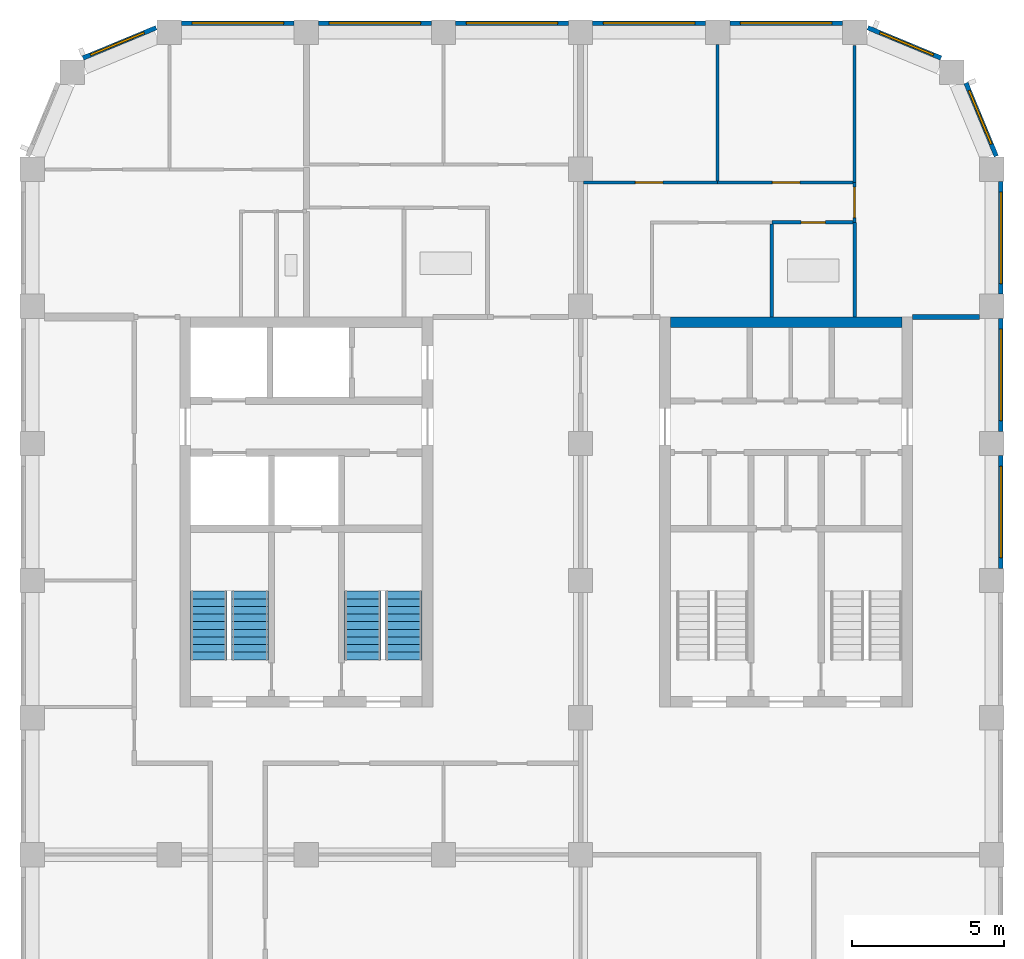
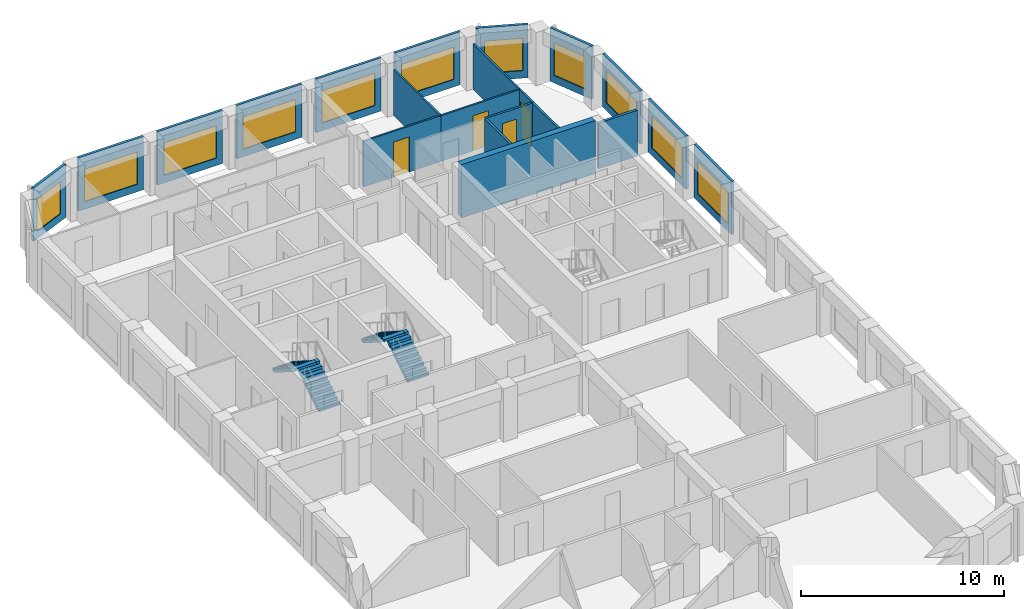
# One storey, part 7 of 10: 21 walls, 11 windows, 4 doors, 4 stair flights, 15 openings, 2 elements without a shape of their own.
"""IFC4 building model written with IfcOpenShell, lengths in metres."""

from ifc_helpers import new_model, si_unit, direction, frame, frame_2d, origin, place, context, subcontext, project, spatial, polyline, rectangle, outline, extrude, material, layer, layer_set, type_object, element, fill, aggregate, save


model = new_model("IFC4")

# Units and contexts
model_context = context("Model", 3, precision=1e-05, world=origin(), true_north=direction((0.0, 1.0)))
body_context = subcontext(model_context, "Body", "Model", "MODEL_VIEW")
ifc_project = project(units=[si_unit("LENGTHUNIT", "METRE"), si_unit("AREAUNIT", "SQUARE_METRE"), si_unit("VOLUMEUNIT", "CUBIC_METRE"), si_unit("PLANEANGLEUNIT", "RADIAN"), si_unit("MASSUNIT", "GRAM", prefix="KILO")], contexts=[model_context])

# Site, building, storey
site_placement = place(None, origin())
site = spatial("IfcSite", under=ifc_project, at=site_placement, CompositionType="ELEMENT")
building_placement = place(site_placement, origin())
building = spatial("IfcBuilding", under=site, at=building_placement, Name="Girih Gate Residences", CompositionType="ELEMENT")
storey_placement = place(building_placement, frame((0.0, 0.0, 210.094970703125)))
storey = spatial("IfcBuildingStorey", under=building, at=storey_placement, Name="L58", CompositionType="ELEMENT", Elevation=210.094970703125)

# Walls
ifc_material_1 = material(Name="Gypsum board on steel studs", Category="steel")
ifc_layer_1 = layer(ifc_material_1, 0.14990234375)
ifc_layer_set_1 = layer_set([ifc_layer_1], Name="Compartment wall 150 mm")
wall_type_1 = type_object("IfcWallType", Name="Compartment wall 150 mm", PredefinedType="PARTITIONING", material=ifc_layer_set_1)
wall_1_placement = place(storey_placement, frame((28.89990234375, 40.14990234375, 0.0), z_axis=(0.0, 0.0, 1.0), x_axis=(1.0, 0.0, 0.0)))
element("IfcWall", 1, at=wall_1_placement, inside=storey, type_object=wall_type_1, Name="L58 partition", PredefinedType="PARTITIONING", context=body_context, shape_type="SweptSolid", body=[
    extrude(rectangle(XDim=2.2001953125, YDim=0.14990234375, at=frame_2d((1.10009765625, 0.0))), origin(), (0.0, 0.0, 1.0), 2.75),
])
ifc_layer_2 = layer(ifc_material_1, 0.10009765625)
ifc_layer_set_2 = layer_set([ifc_layer_2], Name="Partition 100 mm")
wall_type_2 = type_object("IfcWallType", Name="Partition 100 mm", PredefinedType="PARTITIONING", material=ifc_layer_set_2)
wall_2_placement = place(storey_placement, frame((22.5, 44.610107421875, 0.0), z_axis=(0.0, 0.0, 1.0), x_axis=(0.0, 1.0, 0.0)))
element("IfcWall", 2, at=wall_2_placement, inside=storey, type_object=wall_type_2, Name="L58 partition", PredefinedType="PARTITIONING", context=body_context, shape_type="SweptSolid", body=[
    extrude(rectangle(XDim=4.489990234375, YDim=0.10009765625, at=frame_2d((2.2451171875, 0.0))), origin(), (0.0, 0.0, 1.0), 2.75),
])

# Wall, opening, door
wall_3_placement = place(storey_placement, frame((18.10009765625, 44.56005859375, 0.0), z_axis=(0.0, 0.0, 1.0), x_axis=(1.0, 0.0, 0.0)))
wall_3 = element("IfcWall", 3, at=wall_3_placement, inside=storey, type_object=wall_type_2, Name="L58 partition", PredefinedType="PARTITIONING", context=body_context, shape_type="SweptSolid", body=[
    extrude(rectangle(XDim=4.39990234375, YDim=0.10009765625, at=frame_2d((2.199951171875, 0.0))), origin(), (0.0, 0.0, 1.0), 2.75),
])
opening_1_placement = place(wall_3_placement, frame((1.699951171875, 0.0, 0.0)))
opening_1 = element("IfcOpeningElement", 4, at=opening_1_placement, cuts=wall_3, Name="Opening A58-018", PredefinedType="OPENING", context=body_context, shape_type="SweptSolid", body=[
    extrude(rectangle(XDim=0.89990234375, YDim=2.10009765625, at=frame_2d((0.449951171875, 1.050048828125))), frame((0.0, 0.06005859375, 0.0), z_axis=(0.0, -1.0, 0.0), x_axis=(1.0, 0.0, 0.0)), (0.0, 0.0, 1.0), 0.1201171875),
])
ifc_material_2 = material(Name="Timber", Category="wood")
door_type_1 = type_object("IfcDoorType", Name="Bedroom door 900x2100", OperationType="NOTDEFINED", PredefinedType="DOOR", material=ifc_material_2)
door_1_placement = place(opening_1_placement, origin())
door_1 = element("IfcDoor", 5, at=door_1_placement, inside=storey, type_object=door_type_1, Name="Door A58-018", OperationType="SINGLE_SWING_LEFT", OverallHeight=2.10009765625, OverallWidth=0.89990234375, PredefinedType="DOOR", context=body_context, shape_type="SweptSolid", body=[
    extrude(rectangle(XDim=0.89990234375, YDim=2.10009765625, at=frame_2d((0.449951171875, 1.050048828125))), frame((0.0, 0.02490234375, 0.0), z_axis=(0.0, -1.0, 0.0), x_axis=(1.0, 0.0, 0.0)), (0.0, 0.0, 1.0), 0.050048828125),
])
fill(opening_1, door_1)

wall_4_placement = place(storey_placement, frame((22.5, 44.56005859375, 0.0), z_axis=(0.0, 0.0, 1.0), x_axis=(1.0, 0.0, 0.0)))
wall_4 = element("IfcWall", 6, at=wall_4_placement, inside=storey, type_object=wall_type_2, Name="L58 partition", PredefinedType="PARTITIONING", context=body_context, shape_type="SweptSolid", body=[
    extrude(rectangle(XDim=4.449951171875, YDim=0.10009765625, at=frame_2d((2.22509765625, 0.0))), origin(), (0.0, 0.0, 1.0), 2.75),
])
opening_2_placement = place(wall_4_placement, frame((1.800048828125, 0.0, 0.0)))
opening_2 = element("IfcOpeningElement", 7, at=opening_2_placement, cuts=wall_4, Name="Opening A58-019", PredefinedType="OPENING", context=body_context, shape_type="SweptSolid", body=[
    extrude(rectangle(XDim=0.89990234375, YDim=2.10009765625, at=frame_2d((0.449951171875, 1.050048828125))), frame((0.0, 0.06005859375, 0.0), z_axis=(0.0, -1.0, 0.0), x_axis=(1.0, 0.0, 0.0)), (0.0, 0.0, 1.0), 0.1201171875),
])
door_2_placement = place(opening_2_placement, origin())
door_2 = element("IfcDoor", 8, at=door_2_placement, inside=storey, type_object=door_type_1, Name="Door A58-019", OperationType="SINGLE_SWING_RIGHT", OverallHeight=2.10009765625, OverallWidth=0.89990234375, PredefinedType="DOOR", context=body_context, shape_type="SweptSolid", body=[
    extrude(rectangle(XDim=0.89990234375, YDim=2.10009765625, at=frame_2d((0.449951171875, 1.050048828125))), frame((0.0, 0.02490234375, 0.0), z_axis=(0.0, -1.0, 0.0), x_axis=(1.0, 0.0, 0.0)), (0.0, 0.0, 1.0), 0.050048828125),
])
fill(opening_2, door_2)

# Wall
wall_5_placement = place(storey_placement, frame((27.0, 44.56005859375, 0.0), z_axis=(0.0, 0.0, 1.0), x_axis=(0.0, 1.0, 0.0)))
element("IfcWall", 9, at=wall_5_placement, inside=storey, type_object=wall_type_2, Name="L58 partition", PredefinedType="PARTITIONING", context=body_context, shape_type="SweptSolid", body=[
    extrude(rectangle(XDim=4.507080078125, YDim=0.10009765625, at=frame_2d((2.25341796875, 0.0))), origin(), (0.0, 0.0, 1.0), 2.75),
])

# Wall, opening, door
wall_6_placement = place(storey_placement, frame((27.0, 44.56005859375, 0.0), z_axis=(0.0, 0.0, 1.0), x_axis=(0.0, -1.0, 0.0)))
wall_6 = element("IfcWall", 10, at=wall_6_placement, inside=storey, type_object=wall_type_2, Name="L58 partition", PredefinedType="PARTITIONING", context=body_context, shape_type="SweptSolid", body=[
    extrude(rectangle(XDim=1.300048828125, YDim=0.10009765625, at=frame_2d((0.64990234375, 0.0))), origin(), (0.0, 0.0, 1.0), 2.75),
])
opening_3_placement = place(wall_6_placement, frame((0.14990234375, 0.0, 0.0)))
opening_3 = element("IfcOpeningElement", 11, at=opening_3_placement, cuts=wall_6, Name="Opening A58-021", PredefinedType="OPENING", context=body_context, shape_type="SweptSolid", body=[
    extrude(rectangle(XDim=1.0, YDim=2.10009765625, at=frame_2d((0.5, 1.050048828125))), frame((0.0, 0.06005859375, 0.0), z_axis=(0.0, -1.0, 0.0), x_axis=(1.0, 0.0, 0.0)), (0.0, 0.0, 1.0), 0.1201171875),
])
door_type_2 = type_object("IfcDoorType", Name="Living room door 1000x2100", OperationType="NOTDEFINED", PredefinedType="DOOR", material=ifc_material_2)
door_3_placement = place(opening_3_placement, origin())
door_3 = element("IfcDoor", 12, at=door_3_placement, inside=storey, type_object=door_type_2, Name="Door A58-021", OperationType="SINGLE_SWING_LEFT", OverallHeight=2.10009765625, OverallWidth=1.0, PredefinedType="DOOR", context=body_context, shape_type="SweptSolid", body=[
    extrude(rectangle(XDim=1.0, YDim=2.10009765625, at=frame_2d((0.5, 1.050048828125))), frame((0.0, 0.02490234375, 0.0), z_axis=(0.0, -1.0, 0.0), x_axis=(1.0, 0.0, 0.0)), (0.0, 0.0, 1.0), 0.050048828125),
])
fill(opening_3, door_3)

# Wall, opening, window
ifc_material_3 = material(Name="Precast concrete C50/60", Category="concrete")
ifc_layer_3 = layer(ifc_material_3, 0.050048828125, Name="Outer leaf")
ifc_material_4 = material(Name="Rigid PIR insulation")
ifc_layer_4 = layer(ifc_material_4, 0.06005859375, Name="Insulation")
ifc_material_5 = material(Name="Precast concrete C40/50", Category="concrete")
ifc_layer_5 = layer(ifc_material_5, 0.0400390625, Name="Inner leaf")
ifc_layer_set_3 = layer_set([ifc_layer_3, ifc_layer_4, ifc_layer_5], Name="Precast concrete C50/60 external wall 150")
wall_type_3 = type_object("IfcWallType", Name="Precast concrete C50/60 external wall 150", PredefinedType="SOLIDWALL", material=ifc_layer_set_3)
wall_7_placement = place(storey_placement, frame((31.800048828125, 35.60009765625, 0.0), z_axis=(0.0, 0.0, 1.0), x_axis=(0.0, -1.0, 0.0)))
wall_7 = element("IfcWall", 13, at=wall_7_placement, inside=storey, type_object=wall_type_3, Name="External wall E0315_0045.6", PredefinedType="SOLIDWALL", context=body_context, shape_type="SweptSolid", body=[
    extrude(rectangle(XDim=3.7001953125, YDim=0.14990234375, at=frame_2d((1.85009765625, 0.0))), origin(), (0.0, 0.0, 1.0), 3.199951171875),
])
opening_4_placement = place(wall_7_placement, frame((0.35009765625, 0.0, 0.449951171875)))
opening_4 = element("IfcOpeningElement", 14, at=opening_4_placement, cuts=wall_7, Name="Opening W-1D", PredefinedType="OPENING", context=body_context, shape_type="SweptSolid", body=[
    extrude(rectangle(XDim=3.0, YDim=1.949951171875, at=frame_2d((1.5, 0.97509765625))), frame((0.0, 0.0849609375, 0.0), z_axis=(0.0, -1.0, 0.0), x_axis=(1.0, 0.0, 0.0)), (0.0, 0.0, 1.0), 0.169921875),
])
ifc_material_6 = material(Name="Double glazing in aluminium frame", Category="aluminium")
window_type_1 = type_object("IfcWindowType", Name="Window W-1D 3000x1950", PartitioningType="SINGLE_PANEL", PredefinedType="WINDOW", material=ifc_material_6)
window_1_placement = place(opening_4_placement, origin())
window_1 = element("IfcWindow", 15, at=window_1_placement, inside=storey, type_object=window_type_1, Name="Window W-1D E0315_0045.6", OverallHeight=1.949951171875, OverallWidth=3.0, PartitioningType="SINGLE_PANEL", PredefinedType="WINDOW", context=body_context, shape_type="SweptSolid", body=[
    extrude(rectangle(XDim=3.0, YDim=1.949951171875, at=frame_2d((1.5, 0.97509765625))), frame((0.0, 0.030029296875, 0.0), z_axis=(0.0, -1.0, 0.0), x_axis=(1.0, 0.0, 0.0)), (0.0, 0.0, 1.0), 0.06005859375),
])
fill(opening_4, window_1)

wall_8_placement = place(storey_placement, frame((31.800048828125, 40.10009765625, 0.0), z_axis=(0.0, 0.0, 1.0), x_axis=(0.0, -1.0, 0.0)))
wall_8 = element("IfcWall", 16, at=wall_8_placement, inside=storey, type_object=wall_type_3, Name="External wall E0315_0045.7", PredefinedType="SOLIDWALL", context=body_context, shape_type="SweptSolid", body=[
    extrude(rectangle(XDim=3.7001953125, YDim=0.14990234375, at=frame_2d((1.85009765625, 0.0))), origin(), (0.0, 0.0, 1.0), 3.199951171875),
])
opening_5_placement = place(wall_8_placement, frame((0.35009765625, 0.0, 0.449951171875)))
opening_5 = element("IfcOpeningElement", 17, at=opening_5_placement, cuts=wall_8, Name="Opening W-1D", PredefinedType="OPENING", context=body_context, shape_type="SweptSolid", body=[
    extrude(rectangle(XDim=3.0, YDim=1.949951171875, at=frame_2d((1.5, 0.97509765625))), frame((0.0, 0.0849609375, 0.0), z_axis=(0.0, -1.0, 0.0), x_axis=(1.0, 0.0, 0.0)), (0.0, 0.0, 1.0), 0.169921875),
])
window_2_placement = place(opening_5_placement, origin())
window_2 = element("IfcWindow", 18, at=window_2_placement, inside=storey, type_object=window_type_1, Name="Window W-1D E0315_0045.7", OverallHeight=1.949951171875, OverallWidth=3.0, PartitioningType="SINGLE_PANEL", PredefinedType="WINDOW", context=body_context, shape_type="SweptSolid", body=[
    extrude(rectangle(XDim=3.0, YDim=1.949951171875, at=frame_2d((1.5, 0.97509765625))), frame((0.0, 0.030029296875, 0.0), z_axis=(0.0, -1.0, 0.0), x_axis=(1.0, 0.0, 0.0)), (0.0, 0.0, 1.0), 0.06005859375),
])
fill(opening_5, window_2)

wall_9_placement = place(storey_placement, frame((31.800048828125, 44.60009765625, 0.0), z_axis=(0.0, 0.0, 1.0), x_axis=(0.0, -1.0, 0.0)))
wall_9 = element("IfcWall", 19, at=wall_9_placement, inside=storey, type_object=wall_type_3, Name="External wall E0315_0045.8", PredefinedType="SOLIDWALL", context=body_context, shape_type="SweptSolid", body=[
    extrude(rectangle(XDim=3.7001953125, YDim=0.14990234375, at=frame_2d((1.85009765625, 0.0))), origin(), (0.0, 0.0, 1.0), 3.199951171875),
])
opening_6_placement = place(wall_9_placement, frame((0.35009765625, 0.0, 0.449951171875)))
opening_6 = element("IfcOpeningElement", 20, at=opening_6_placement, cuts=wall_9, Name="Opening W-1D", PredefinedType="OPENING", context=body_context, shape_type="SweptSolid", body=[
    extrude(rectangle(XDim=3.0, YDim=1.949951171875, at=frame_2d((1.5, 0.97509765625))), frame((0.0, 0.0849609375, 0.0), z_axis=(0.0, -1.0, 0.0), x_axis=(1.0, 0.0, 0.0)), (0.0, 0.0, 1.0), 0.169921875),
])
window_3_placement = place(opening_6_placement, origin())
window_3 = element("IfcWindow", 21, at=window_3_placement, inside=storey, type_object=window_type_1, Name="Window W-1D E0315_0045.8", OverallHeight=1.949951171875, OverallWidth=3.0, PartitioningType="SINGLE_PANEL", PredefinedType="WINDOW", context=body_context, shape_type="SweptSolid", body=[
    extrude(rectangle(XDim=3.0, YDim=1.949951171875, at=frame_2d((1.5, 0.97509765625))), frame((0.0, 0.030029296875, 0.0), z_axis=(0.0, -1.0, 0.0), x_axis=(1.0, 0.0, 0.0)), (0.0, 0.0, 1.0), 0.06005859375),
])
fill(opening_6, window_3)

wall_10_placement = place(storey_placement, frame((30.6513671875, 47.8330078125, 0.0), z_axis=(0.0, 0.0, 1.0), x_axis=(0.382669406082, -0.923885342263, 0.0)))
wall_10 = element("IfcWall", 22, at=wall_10_placement, inside=storey, type_object=wall_type_3, Name="External wall NE0315_0450.0", PredefinedType="SOLIDWALL", context=body_context, shape_type="SweptSolid", body=[
    extrude(rectangle(XDim=2.602294921875, YDim=0.14990234375, at=frame_2d((1.30126953125, 0.0))), origin(), (0.0, 0.0, 1.0), 3.199951171875),
])
opening_7_placement = place(wall_10_placement, frame((0.27001953125, 0.0, 0.449951171875)))
opening_7 = element("IfcOpeningElement", 23, at=opening_7_placement, cuts=wall_10, Name="Opening W-2G", PredefinedType="OPENING", context=body_context, shape_type="SweptSolid", body=[
    extrude(rectangle(XDim=1.89990234375, YDim=1.949951171875, at=frame_2d((0.949951171875, 0.97509765625))), frame((0.0, 0.0849609375, 0.0), z_axis=(0.0, -1.0, 0.0), x_axis=(1.0, 0.0, 0.0)), (0.0, 0.0, 1.0), 0.169921875),
])
window_type_2 = type_object("IfcWindowType", Name="Window W-2G 1900x1950", PartitioningType="SINGLE_PANEL", PredefinedType="WINDOW", material=ifc_material_6)
window_4_placement = place(opening_7_placement, origin())
window_4 = element("IfcWindow", 24, at=window_4_placement, inside=storey, type_object=window_type_2, Name="Window W-2G NE0315_0450.0", OverallHeight=1.949951171875, OverallWidth=1.89990234375, PartitioningType="SINGLE_PANEL", PredefinedType="WINDOW", context=body_context, shape_type="SweptSolid", body=[
    extrude(rectangle(XDim=1.89990234375, YDim=1.949951171875, at=frame_2d((0.949951171875, 0.97509765625))), frame((0.0, 0.030029296875, 0.0), z_axis=(0.0, -1.0, 0.0), x_axis=(1.0, 0.0, 0.0)), (0.0, 0.0, 1.0), 0.06005859375),
])
fill(opening_7, window_4)

wall_11_placement = place(storey_placement, frame((27.4287109375, 49.647216796875, 0.0), z_axis=(0.0, 0.0, 1.0), x_axis=(0.923885342263, -0.382669406082, 0.0)))
wall_11 = element("IfcWall", 25, at=wall_11_placement, inside=storey, type_object=wall_type_3, Name="External wall NE0302_0482.0", PredefinedType="SOLIDWALL", context=body_context, shape_type="SweptSolid", body=[
    extrude(rectangle(XDim=2.602294921875, YDim=0.14990234375, at=frame_2d((1.30126953125, 0.0))), origin(), (0.0, 0.0, 1.0), 3.199951171875),
])
opening_8_placement = place(wall_11_placement, frame((0.432373046875, 0.0, 0.449951171875)))
opening_8 = element("IfcOpeningElement", 26, at=opening_8_placement, cuts=wall_11, Name="Opening W-2G", PredefinedType="OPENING", context=body_context, shape_type="SweptSolid", body=[
    extrude(rectangle(XDim=1.89990234375, YDim=1.949951171875, at=frame_2d((0.949951171875, 0.97509765625))), frame((0.0, 0.0849609375, 0.0), z_axis=(0.0, -1.0, 0.0), x_axis=(1.0, 0.0, 0.0)), (0.0, 0.0, 1.0), 0.169921875),
])
window_5_placement = place(opening_8_placement, origin())
window_5 = element("IfcWindow", 27, at=window_5_placement, inside=storey, type_object=window_type_2, Name="Window W-2G NE0302_0482.0", OverallHeight=1.949951171875, OverallWidth=1.89990234375, PartitioningType="SINGLE_PANEL", PredefinedType="WINDOW", context=body_context, shape_type="SweptSolid", body=[
    extrude(rectangle(XDim=1.89990234375, YDim=1.949951171875, at=frame_2d((0.949951171875, 0.97509765625))), frame((0.0, 0.030029296875, 0.0), z_axis=(0.0, -1.0, 0.0), x_axis=(1.0, 0.0, 0.0)), (0.0, 0.0, 1.0), 0.06005859375),
])
fill(opening_8, window_5)

wall_12_placement = place(storey_placement, frame((22.89990234375, 49.800048828125, 0.0), z_axis=(0.0, 0.0, 1.0), x_axis=(1.0, 0.0, 0.0)))
wall_12 = element("IfcWall", 28, at=wall_12_placement, inside=storey, type_object=wall_type_3, Name="External wall N0270_0495.0", PredefinedType="SOLIDWALL", context=body_context, shape_type="SweptSolid", body=[
    extrude(rectangle(XDim=3.7001953125, YDim=0.14990234375, at=frame_2d((1.85009765625, 0.0))), origin(), (0.0, 0.0, 1.0), 3.199951171875),
])
opening_9_placement = place(wall_12_placement, frame((0.35009765625, 0.0, 0.449951171875)))
opening_9 = element("IfcOpeningElement", 29, at=opening_9_placement, cuts=wall_12, Name="Opening W-1D", PredefinedType="OPENING", context=body_context, shape_type="SweptSolid", body=[
    extrude(rectangle(XDim=3.0, YDim=1.949951171875, at=frame_2d((1.5, 0.97509765625))), frame((0.0, 0.0849609375, 0.0), z_axis=(0.0, -1.0, 0.0), x_axis=(1.0, 0.0, 0.0)), (0.0, 0.0, 1.0), 0.169921875),
])
window_6_placement = place(opening_9_placement, origin())
window_6 = element("IfcWindow", 30, at=window_6_placement, inside=storey, type_object=window_type_1, Name="Window W-1D N0270_0495.0", OverallHeight=1.949951171875, OverallWidth=3.0, PartitioningType="SINGLE_PANEL", PredefinedType="WINDOW", context=body_context, shape_type="SweptSolid", body=[
    extrude(rectangle(XDim=3.0, YDim=1.949951171875, at=frame_2d((1.5, 0.97509765625))), frame((0.0, 0.030029296875, 0.0), z_axis=(0.0, -1.0, 0.0), x_axis=(1.0, 0.0, 0.0)), (0.0, 0.0, 1.0), 0.06005859375),
])
fill(opening_9, window_6)

wall_13_placement = place(storey_placement, frame((18.39990234375, 49.800048828125, 0.0), z_axis=(0.0, 0.0, 1.0), x_axis=(1.0, 0.0, 0.0)))
wall_13 = element("IfcWall", 31, at=wall_13_placement, inside=storey, type_object=wall_type_3, Name="External wall N0270_0495.1", PredefinedType="SOLIDWALL", context=body_context, shape_type="SweptSolid", body=[
    extrude(rectangle(XDim=3.7001953125, YDim=0.14990234375, at=frame_2d((1.85009765625, 0.0))), origin(), (0.0, 0.0, 1.0), 3.199951171875),
])
opening_10_placement = place(wall_13_placement, frame((0.35009765625, 0.0, 0.449951171875)))
opening_10 = element("IfcOpeningElement", 32, at=opening_10_placement, cuts=wall_13, Name="Opening W-1D", PredefinedType="OPENING", context=body_context, shape_type="SweptSolid", body=[
    extrude(rectangle(XDim=3.0, YDim=1.949951171875, at=frame_2d((1.5, 0.97509765625))), frame((0.0, 0.0849609375, 0.0), z_axis=(0.0, -1.0, 0.0), x_axis=(1.0, 0.0, 0.0)), (0.0, 0.0, 1.0), 0.169921875),
])
window_7_placement = place(opening_10_placement, origin())
window_7 = element("IfcWindow", 33, at=window_7_placement, inside=storey, type_object=window_type_1, Name="Window W-1D N0270_0495.1", OverallHeight=1.949951171875, OverallWidth=3.0, PartitioningType="SINGLE_PANEL", PredefinedType="WINDOW", context=body_context, shape_type="SweptSolid", body=[
    extrude(rectangle(XDim=3.0, YDim=1.949951171875, at=frame_2d((1.5, 0.97509765625))), frame((0.0, 0.030029296875, 0.0), z_axis=(0.0, -1.0, 0.0), x_axis=(1.0, 0.0, 0.0)), (0.0, 0.0, 1.0), 0.06005859375),
])
fill(opening_10, window_7)

wall_14_placement = place(storey_placement, frame((13.89990234375, 49.800048828125, 0.0), z_axis=(0.0, 0.0, 1.0), x_axis=(1.0, 0.0, 0.0)))
wall_14 = element("IfcWall", 34, at=wall_14_placement, inside=storey, type_object=wall_type_3, Name="External wall N0270_0495.2", PredefinedType="SOLIDWALL", context=body_context, shape_type="SweptSolid", body=[
    extrude(rectangle(XDim=3.7001953125, YDim=0.14990234375, at=frame_2d((1.85009765625, 0.0))), origin(), (0.0, 0.0, 1.0), 3.199951171875),
])
opening_11_placement = place(wall_14_placement, frame((0.35009765625, 0.0, 0.449951171875)))
opening_11 = element("IfcOpeningElement", 35, at=opening_11_placement, cuts=wall_14, Name="Opening W-1D", PredefinedType="OPENING", context=body_context, shape_type="SweptSolid", body=[
    extrude(rectangle(XDim=3.0, YDim=1.949951171875, at=frame_2d((1.5, 0.97509765625))), frame((0.0, 0.0849609375, 0.0), z_axis=(0.0, -1.0, 0.0), x_axis=(1.0, 0.0, 0.0)), (0.0, 0.0, 1.0), 0.169921875),
])
window_8_placement = place(opening_11_placement, origin())
window_8 = element("IfcWindow", 36, at=window_8_placement, inside=storey, type_object=window_type_1, Name="Window W-1D N0270_0495.2", OverallHeight=1.949951171875, OverallWidth=3.0, PartitioningType="SINGLE_PANEL", PredefinedType="WINDOW", context=body_context, shape_type="SweptSolid", body=[
    extrude(rectangle(XDim=3.0, YDim=1.949951171875, at=frame_2d((1.5, 0.97509765625))), frame((0.0, 0.030029296875, 0.0), z_axis=(0.0, -1.0, 0.0), x_axis=(1.0, 0.0, 0.0)), (0.0, 0.0, 1.0), 0.06005859375),
])
fill(opening_11, window_8)

wall_15_placement = place(storey_placement, frame((9.39990234375, 49.800048828125, 0.0), z_axis=(0.0, 0.0, 1.0), x_axis=(1.0, 0.0, 0.0)))
wall_15 = element("IfcWall", 37, at=wall_15_placement, inside=storey, type_object=wall_type_3, Name="External wall N0270_0495.3", PredefinedType="SOLIDWALL", context=body_context, shape_type="SweptSolid", body=[
    extrude(rectangle(XDim=3.7001953125, YDim=0.14990234375, at=frame_2d((1.85009765625, 0.0))), origin(), (0.0, 0.0, 1.0), 3.199951171875),
])
opening_12_placement = place(wall_15_placement, frame((0.35009765625, 0.0, 0.449951171875)))
opening_12 = element("IfcOpeningElement", 38, at=opening_12_placement, cuts=wall_15, Name="Opening W-1D", PredefinedType="OPENING", context=body_context, shape_type="SweptSolid", body=[
    extrude(rectangle(XDim=3.0, YDim=1.949951171875, at=frame_2d((1.5, 0.97509765625))), frame((0.0, 0.0849609375, 0.0), z_axis=(0.0, -1.0, 0.0), x_axis=(1.0, 0.0, 0.0)), (0.0, 0.0, 1.0), 0.169921875),
])
window_9_placement = place(opening_12_placement, origin())
window_9 = element("IfcWindow", 39, at=window_9_placement, inside=storey, type_object=window_type_1, Name="Window W-1D N0270_0495.3", OverallHeight=1.949951171875, OverallWidth=3.0, PartitioningType="SINGLE_PANEL", PredefinedType="WINDOW", context=body_context, shape_type="SweptSolid", body=[
    extrude(rectangle(XDim=3.0, YDim=1.949951171875, at=frame_2d((1.5, 0.97509765625))), frame((0.0, 0.030029296875, 0.0), z_axis=(0.0, -1.0, 0.0), x_axis=(1.0, 0.0, 0.0)), (0.0, 0.0, 1.0), 0.06005859375),
])
fill(opening_12, window_9)

wall_16_placement = place(storey_placement, frame((4.89990234375, 49.800048828125, 0.0), z_axis=(0.0, 0.0, 1.0), x_axis=(1.0, 0.0, 0.0)))
wall_16 = element("IfcWall", 40, at=wall_16_placement, inside=storey, type_object=wall_type_3, Name="External wall N0270_0495.4", PredefinedType="SOLIDWALL", context=body_context, shape_type="SweptSolid", body=[
    extrude(rectangle(XDim=3.7001953125, YDim=0.14990234375, at=frame_2d((1.85009765625, 0.0))), origin(), (0.0, 0.0, 1.0), 3.199951171875),
])
opening_13_placement = place(wall_16_placement, frame((0.35009765625, 0.0, 0.449951171875)))
opening_13 = element("IfcOpeningElement", 41, at=opening_13_placement, cuts=wall_16, Name="Opening W-1D", PredefinedType="OPENING", context=body_context, shape_type="SweptSolid", body=[
    extrude(rectangle(XDim=3.0, YDim=1.949951171875, at=frame_2d((1.5, 0.97509765625))), frame((0.0, 0.0849609375, 0.0), z_axis=(0.0, -1.0, 0.0), x_axis=(1.0, 0.0, 0.0)), (0.0, 0.0, 1.0), 0.169921875),
])
window_10_placement = place(opening_13_placement, origin())
window_10 = element("IfcWindow", 42, at=window_10_placement, inside=storey, type_object=window_type_1, Name="Window W-1D N0270_0495.4", OverallHeight=1.949951171875, OverallWidth=3.0, PartitioningType="SINGLE_PANEL", PredefinedType="WINDOW", context=body_context, shape_type="SweptSolid", body=[
    extrude(rectangle(XDim=3.0, YDim=1.949951171875, at=frame_2d((1.5, 0.97509765625))), frame((0.0, 0.030029296875, 0.0), z_axis=(0.0, -1.0, 0.0), x_axis=(1.0, 0.0, 0.0)), (0.0, 0.0, 1.0), 0.06005859375),
])
fill(opening_13, window_10)

wall_17_placement = place(storey_placement, frame((1.6669921875, 48.6513671875, 0.0), z_axis=(0.0, 0.0, 1.0), x_axis=(0.923885342263, 0.382669406082, 0.0)))
wall_17 = element("IfcWall", 43, at=wall_17_placement, inside=storey, type_object=wall_type_3, Name="External wall NW0045_0495.0", PredefinedType="SOLIDWALL", context=body_context, shape_type="SweptSolid", body=[
    extrude(rectangle(XDim=2.602294921875, YDim=0.14990234375, at=frame_2d((1.30126953125, 0.0))), origin(), (0.0, 0.0, 1.0), 3.199951171875),
])
opening_14_placement = place(wall_17_placement, frame((0.27001953125, 0.0, 0.449951171875)))
opening_14 = element("IfcOpeningElement", 44, at=opening_14_placement, cuts=wall_17, Name="Opening W-2G", PredefinedType="OPENING", context=body_context, shape_type="SweptSolid", body=[
    extrude(rectangle(XDim=1.89990234375, YDim=1.949951171875, at=frame_2d((0.949951171875, 0.97509765625))), frame((0.0, 0.0849609375, 0.0), z_axis=(0.0, -1.0, 0.0), x_axis=(1.0, 0.0, 0.0)), (0.0, 0.0, 1.0), 0.169921875),
])
window_11_placement = place(opening_14_placement, origin())
window_11 = element("IfcWindow", 45, at=window_11_placement, inside=storey, type_object=window_type_2, Name="Window W-2G NW0045_0495.0", OverallHeight=1.949951171875, OverallWidth=1.89990234375, PartitioningType="SINGLE_PANEL", PredefinedType="WINDOW", context=body_context, shape_type="SweptSolid", body=[
    extrude(rectangle(XDim=1.89990234375, YDim=1.949951171875, at=frame_2d((0.949951171875, 0.97509765625))), frame((0.0, 0.030029296875, 0.0), z_axis=(0.0, -1.0, 0.0), x_axis=(1.0, 0.0, 0.0)), (0.0, 0.0, 1.0), 0.06005859375),
])
fill(opening_14, window_11)

# Wall
ifc_material_7 = material(Name="Concrete C40/50", Category="concrete")
ifc_layer_6 = layer(ifc_material_7, 0.35009765625)
ifc_layer_set_4 = layer_set([ifc_layer_6], Name="Stair core wall RC 350 Concrete C40/50")
wall_type_4 = type_object("IfcWallType", Name="Stair core wall RC 350 Concrete C40/50", PredefinedType="SOLIDWALL", material=ifc_layer_set_4)
wall_18_placement = place(storey_placement, frame((20.949951171875, 39.97509765625, 0.0), z_axis=(0.0, 0.0, 1.0), x_axis=(1.0, 0.0, 0.0)))
element("IfcWall", 46, at=wall_18_placement, inside=storey, type_object=wall_type_4, Name="Stair core wall C-N L58", PredefinedType="SOLIDWALL", context=body_context, shape_type="SweptSolid", body=[
    extrude(rectangle(XDim=7.60009765625, YDim=0.35009765625, at=frame_2d((3.800048828125, 0.0))), origin(), (0.0, 0.0, 1.0), 3.199951171875),
])

# Wall, opening, door
ifc_layer_7 = layer(ifc_material_1, 0.125)
ifc_layer_set_5 = layer_set([ifc_layer_7], Name="Wet room wall 125 mm")
wall_type_5 = type_object("IfcWallType", Name="Wet room wall 125 mm", PredefinedType="PARTITIONING", material=ifc_layer_set_5)
wall_19_placement = place(storey_placement, frame((26.9375, 43.260009765625, 0.0), z_axis=(0.0, 0.0, 1.0), x_axis=(-1.0, 0.0, 0.0)))
wall_19 = element("IfcWall", 47, at=wall_19_placement, inside=storey, type_object=wall_type_5, Name="L58 partition", PredefinedType="PARTITIONING", context=body_context, shape_type="SweptSolid", body=[
    extrude(rectangle(XDim=2.6591796875, YDim=0.125, at=frame_2d((1.32958984375, 0.0))), origin(), (0.0, 0.0, 1.0), 2.75),
])
opening_15_placement = place(wall_19_placement, frame((0.898193359375, 0.0, 0.0)))
opening_15 = element("IfcOpeningElement", 48, at=opening_15_placement, cuts=wall_19, Name="Opening A58-017", PredefinedType="OPENING", context=body_context, shape_type="SweptSolid", body=[
    extrude(rectangle(XDim=0.800048828125, YDim=2.10009765625, at=frame_2d((0.39990234375, 1.050048828125))), frame((0.0, 0.072509765625, 0.0), z_axis=(0.0, -1.0, 0.0), x_axis=(1.0, 0.0, 0.0)), (0.0, 0.0, 1.0), 0.14501953125),
])
door_type_3 = type_object("IfcDoorType", Name="Bathroom door 800x2100", OperationType="NOTDEFINED", PredefinedType="DOOR", material=ifc_material_2)
door_4_placement = place(opening_15_placement, origin())
door_4 = element("IfcDoor", 49, at=door_4_placement, inside=storey, type_object=door_type_3, Name="Door A58-017", OperationType="SINGLE_SWING_LEFT", OverallHeight=2.10009765625, OverallWidth=0.800048828125, PredefinedType="DOOR", context=body_context, shape_type="SweptSolid", body=[
    extrude(rectangle(XDim=0.800048828125, YDim=2.10009765625, at=frame_2d((0.39990234375, 1.050048828125))), frame((0.0, 0.02490234375, 0.0), z_axis=(0.0, -1.0, 0.0), x_axis=(1.0, 0.0, 0.0)), (0.0, 0.0, 1.0), 0.050048828125),
])
fill(opening_15, door_4)

# Walls
wall_20_placement = place(storey_placement, frame((24.278076171875, 40.14990234375, 0.0), z_axis=(0.0, 0.0, 1.0), x_axis=(0.0, 1.0, 0.0)))
element("IfcWall", 50, at=wall_20_placement, inside=storey, type_object=wall_type_5, Name="L58 partition", PredefinedType="PARTITIONING", context=body_context, shape_type="SweptSolid", body=[
    extrude(rectangle(XDim=3.047607421875, YDim=0.125, at=frame_2d((1.52392578125, 0.0))), origin(), (0.0, 0.0, 1.0), 2.75),
])
wall_21_placement = place(storey_placement, frame((27.0, 40.14990234375, 0.0), z_axis=(0.0, 0.0, 1.0), x_axis=(0.0, 1.0, 0.0)))
element("IfcWall", 51, at=wall_21_placement, inside=storey, type_object=wall_type_5, Name="L58 partition", PredefinedType="PARTITIONING", context=body_context, shape_type="SweptSolid", body=[
    extrude(rectangle(XDim=3.110107421875, YDim=0.125, at=frame_2d((1.55517578125, 0.0))), origin(), (0.0, 0.0, 1.0), 2.75),
])

# Stair, stair flights
stair_type = type_object("IfcStairType", Name="Exit stair", PredefinedType="HALF_TURN_STAIR", material=ifc_material_7)
stair_1_placement = place(storey_placement, origin())
stair_1 = element("IfcStair", 52, at=stair_1_placement, inside=storey, type_object=stair_type, Name="L58 Exit Stair ST-W1", PredefinedType="HALF_TURN_STAIR")
stair_flight_type = type_object("IfcStairFlightType", Name="Stair flight 1200", PredefinedType="STRAIGHT", material=ifc_material_7)
stair_flight_1_placement = place(storey_placement, frame((7.14990234375, 28.89990234375, 0.0), z_axis=(0.0, 0.0, 1.0), x_axis=(0.0, 1.0, 0.0)))
stair_flight_1 = element("IfcStairFlight", 53, at=stair_flight_1_placement, type_object=stair_flight_type, Name="ST-W1 flight 1", NumberOfRisers=10, NumberOfTreads=9, PredefinedType="STRAIGHT", RiserHeight=0.16, TreadLength=0.25, context=body_context, shape_type="SweptSolid", body=[
    extrude(outline(polyline([(0.0, 0.0), (0.0, 0.159912109375), (0.25, 0.159912109375), (0.25, 0.320068359375), (0.5, 0.320068359375), (0.5, 0.47998046875), (0.75, 0.47998046875), (0.75, 0.639892578125), (1.0, 0.639892578125), (1.0, 0.800048828125), (1.25, 0.800048828125), (1.25, 0.9599609375), (1.5, 0.9599609375), (1.5, 1.1201171875), (1.75, 1.1201171875), (1.75, 1.280029296875), (2.0, 1.280029296875), (2.0, 1.43994140625), (2.25, 1.43994140625), (2.25, 1.60009765625), (2.25, 1.29736328125), (0.222900390625, 0.0), (0.0, 0.0)])), frame((0.0, 0.60009765625, 0.0), z_axis=(0.0, -1.0, 0.0), x_axis=(1.0, 0.0, 0.0)), (0.0, 0.0, 1.0), 1.199951171875),
])
stair_flight_2_placement = place(storey_placement, frame((5.800048828125, 31.14990234375, 1.60009765625), z_axis=(0.0, 0.0, 1.0), x_axis=(0.0, -1.0, 0.0)))
stair_flight_2 = element("IfcStairFlight", 54, at=stair_flight_2_placement, type_object=stair_flight_type, Name="ST-W1 flight 2", NumberOfRisers=10, NumberOfTreads=9, PredefinedType="STRAIGHT", RiserHeight=0.16, TreadLength=0.25, context=body_context, shape_type="SweptSolid", body=[
    extrude(outline(polyline([(0.0, 0.0), (0.0, 0.159912109375), (0.25, 0.159912109375), (0.25, 0.320068359375), (0.5, 0.320068359375), (0.5, 0.47998046875), (0.75, 0.47998046875), (0.75, 0.639892578125), (1.0, 0.639892578125), (1.0, 0.800048828125), (1.25, 0.800048828125), (1.25, 0.9599609375), (1.5, 0.9599609375), (1.5, 1.1201171875), (1.75, 1.1201171875), (1.75, 1.280029296875), (2.0, 1.280029296875), (2.0, 1.43994140625), (2.25, 1.43994140625), (2.25, 1.60009765625), (2.25, 1.29736328125), (0.222900390625, 0.0), (0.0, 0.0)])), frame((0.0, 0.60009765625, 0.0), z_axis=(0.0, -1.0, 0.0), x_axis=(1.0, 0.0, 0.0)), (0.0, 0.0, 1.0), 1.199951171875),
])
aggregate(stair_1, [stair_flight_1, stair_flight_2])

stair_2_placement = place(storey_placement, origin())
stair_2 = element("IfcStair", 55, at=stair_2_placement, inside=storey, type_object=stair_type, Name="L58 Exit Stair ST-W2", PredefinedType="HALF_TURN_STAIR")
stair_flight_3_placement = place(storey_placement, frame((12.199951171875, 28.89990234375, 0.0), z_axis=(0.0, 0.0, 1.0), x_axis=(0.0, 1.0, 0.0)))
stair_flight_3 = element("IfcStairFlight", 56, at=stair_flight_3_placement, type_object=stair_flight_type, Name="ST-W2 flight 1", NumberOfRisers=10, NumberOfTreads=9, PredefinedType="STRAIGHT", RiserHeight=0.16, TreadLength=0.25, context=body_context, shape_type="SweptSolid", body=[
    extrude(outline(polyline([(0.0, 0.0), (0.0, 0.159912109375), (0.25, 0.159912109375), (0.25, 0.320068359375), (0.5, 0.320068359375), (0.5, 0.47998046875), (0.75, 0.47998046875), (0.75, 0.639892578125), (1.0, 0.639892578125), (1.0, 0.800048828125), (1.25, 0.800048828125), (1.25, 0.9599609375), (1.5, 0.9599609375), (1.5, 1.1201171875), (1.75, 1.1201171875), (1.75, 1.280029296875), (2.0, 1.280029296875), (2.0, 1.43994140625), (2.25, 1.43994140625), (2.25, 1.60009765625), (2.25, 1.29736328125), (0.222900390625, 0.0), (0.0, 0.0)])), frame((0.0, 0.60009765625, 0.0), z_axis=(0.0, -1.0, 0.0), x_axis=(1.0, 0.0, 0.0)), (0.0, 0.0, 1.0), 1.199951171875),
])
stair_flight_4_placement = place(storey_placement, frame((10.85009765625, 31.14990234375, 1.60009765625), z_axis=(0.0, 0.0, 1.0), x_axis=(0.0, -1.0, 0.0)))
stair_flight_4 = element("IfcStairFlight", 57, at=stair_flight_4_placement, type_object=stair_flight_type, Name="ST-W2 flight 2", NumberOfRisers=10, NumberOfTreads=9, PredefinedType="STRAIGHT", RiserHeight=0.16, TreadLength=0.25, context=body_context, shape_type="SweptSolid", body=[
    extrude(outline(polyline([(0.0, 0.0), (0.0, 0.159912109375), (0.25, 0.159912109375), (0.25, 0.320068359375), (0.5, 0.320068359375), (0.5, 0.47998046875), (0.75, 0.47998046875), (0.75, 0.639892578125), (1.0, 0.639892578125), (1.0, 0.800048828125), (1.25, 0.800048828125), (1.25, 0.9599609375), (1.5, 0.9599609375), (1.5, 1.1201171875), (1.75, 1.1201171875), (1.75, 1.280029296875), (2.0, 1.280029296875), (2.0, 1.43994140625), (2.25, 1.43994140625), (2.25, 1.60009765625), (2.25, 1.29736328125), (0.222900390625, 0.0), (0.0, 0.0)])), frame((0.0, 0.60009765625, 0.0), z_axis=(0.0, -1.0, 0.0), x_axis=(1.0, 0.0, 0.0)), (0.0, 0.0, 1.0), 1.199951171875),
])
aggregate(stair_2, [stair_flight_3, stair_flight_4])

save(model, "model.ifc")
